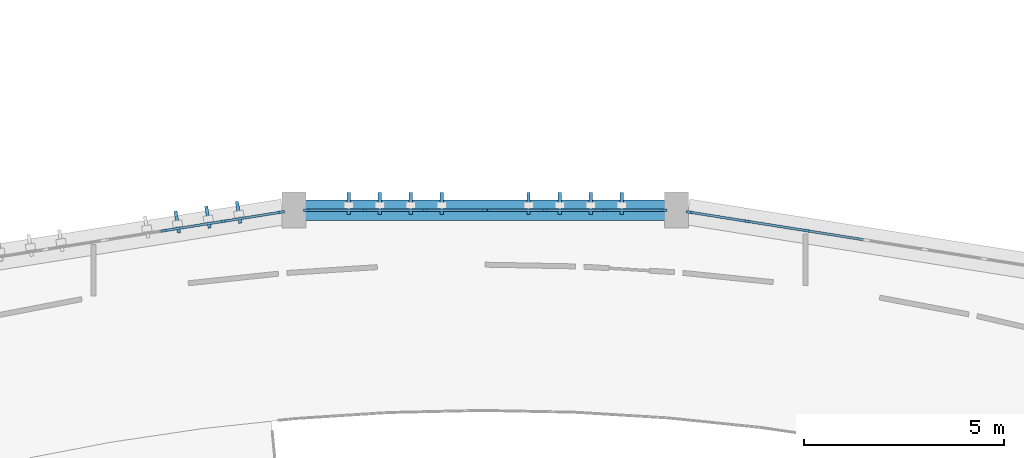
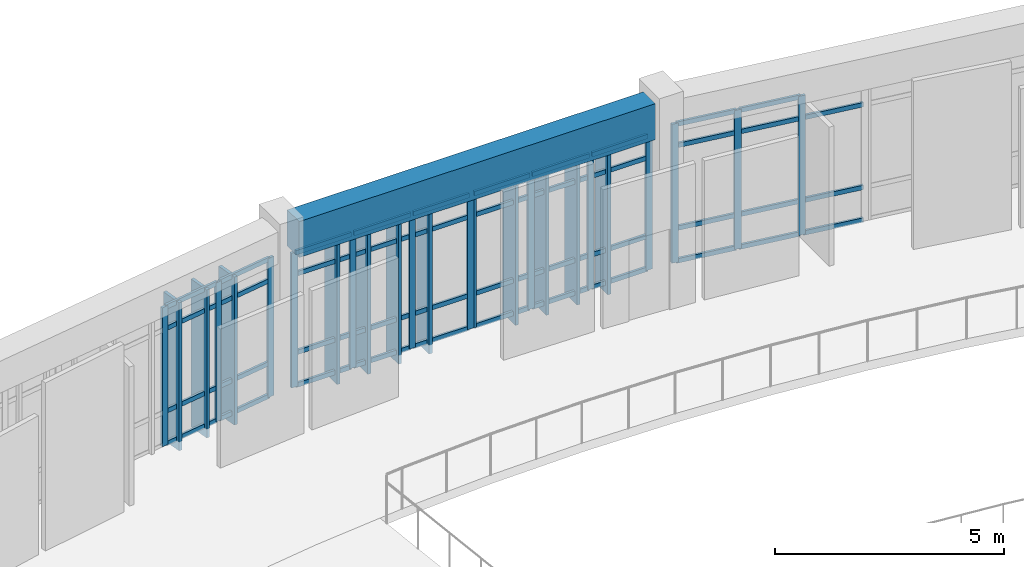
# One storey, part 20 of 65: 68 members, 1 beam, 4 elements without a shape of their own.
"""IFC4 building model written with IfcOpenShell, lengths in metres."""

from ifc_helpers import new_model, si_unit, direction, frame, origin, origin_2d, place, context, subcontext, project, spatial, rectangle, extrude, material, layer, layer_set, material_profile, profile_set, type_object, element, aggregate, save


model = new_model("IFC4")

# Units and contexts
model_context = context("Model", 3, precision=1e-05, world=origin(), true_north=direction((0.0, 1.0)))
body_context = subcontext(model_context, "Body", "Model", "MODEL_VIEW")
ifc_project = project(units=[si_unit("LENGTHUNIT", "METRE"), si_unit("AREAUNIT", "SQUARE_METRE"), si_unit("VOLUMEUNIT", "CUBIC_METRE"), si_unit("PLANEANGLEUNIT", "RADIAN"), si_unit("MASSUNIT", "GRAM", prefix="KILO")], contexts=[model_context])

# Site, building, storey
site_placement = place(None, origin())
site = spatial("IfcSite", under=ifc_project, at=site_placement, CompositionType="ELEMENT")
building_placement = place(site_placement, origin())
building = spatial("IfcBuilding", under=site, at=building_placement, Name="Miralva Faculty of Natural Sciences", CompositionType="ELEMENT")
storey_placement = place(building_placement, frame((0.0, 0.0, 10.199951171875)))
storey = spatial("IfcBuildingStorey", under=building, at=storey_placement, Name="L02", CompositionType="ELEMENT", Elevation=10.199951171875)

# Beam
ifc_material_1 = material(Name="Concrete C40/50", Category="concrete")
ifc_material_profile_1 = material_profile(ifc_material_1, rectangle(XDim=0.52001953125, YDim=0.9599609375, at=origin_2d()), Name="RC 520x960")
ifc_profile_set_1 = profile_set([ifc_material_profile_1], Name="Concrete C40/50")
beam_type = type_object("IfcBeamType", Name="BM-BG20", PredefinedType="BEAM", material=ifc_profile_set_1)
beam_placement = place(storey_placement, frame((85.510009765625, 39.81005859375, 4.080078125), z_axis=(1.0, 0.0, 0.0), x_axis=(0.0, 1.0, 0.0)))
element("IfcBeam", 1, at=beam_placement, inside=storey, type_object=beam_type, Name="Girder EW L02-39", PredefinedType="BEAM", context=body_context, shape_type="SweptSolid", body=[
    extrude(rectangle(XDim=0.52001953125, YDim=0.9599609375, at=origin_2d()), origin(), (0.0, 0.0, 1.0), 8.97998046875),
])

# Curtain wall, members
ifc_material_2 = material(Name="Laminated solar-control glass", Category="glass")
ifc_layer = layer(ifc_material_2, 0.179931640625, Name="CW-ARC-L01")
ifc_layer_set = layer_set([ifc_layer], Name="Laminated solar-control glass")
curtain_wall_type = type_object("IfcCurtainWallType", Name="CW-ARC-L01", PredefinedType="USERDEFINED", material=ifc_layer_set)
curtain_wall_1_placement = place(storey_placement, origin())
curtain_wall_1 = element("IfcCurtainWall", 2, at=curtain_wall_1_placement, inside=storey, type_object=curtain_wall_type, Name="Curtain wall CW-02 L02-84", ObjectType="UNITISED CURTAIN WALL", PredefinedType="USERDEFINED")
ifc_material_3 = material(Name="Anodised aluminium", Category="aluminium")
ifc_material_profile_2 = material_profile(ifc_material_3, rectangle(XDim=0.06494140625, YDim=0.159912109375, at=origin_2d()), Name="MULLION 65x160")
ifc_profile_set_2 = profile_set([ifc_material_profile_2], Name="Anodised aluminium")
member_type_1 = type_object("IfcMemberType", Name="CW-M02", PredefinedType="MULLION", material=ifc_profile_set_2)
member_1_placement = place(storey_placement, frame((81.965576171875, 39.29736328125, 0.0), z_axis=(0.0, 0.0, 1.0), x_axis=(-0.156414990722, 0.987691424827, 0.0)))
member_1 = element("IfcMember", 3, at=member_1_placement, type_object=member_type_1, Name="CW-02 mullion 2", PredefinedType="MULLION", context=body_context, shape_type="SweptSolid", body=[
    extrude(rectangle(XDim=0.06494140625, YDim=0.159912109375, at=origin_2d()), origin(), (0.0, 0.0, 1.0), 3.705078125),
])
member_2_placement = place(storey_placement, frame((83.448974609375, 39.532470703125, 0.0), z_axis=(0.0, 0.0, 1.0), x_axis=(-0.156414990722, 0.987691424827, 0.0)))
member_2 = element("IfcMember", 4, at=member_2_placement, type_object=member_type_1, Name="CW-02 mullion 3", PredefinedType="MULLION", context=body_context, shape_type="SweptSolid", body=[
    extrude(rectangle(XDim=0.06494140625, YDim=0.159912109375, at=origin_2d()), origin(), (0.0, 0.0, 1.0), 3.705078125),
])
member_3_placement = place(storey_placement, frame((84.900390625, 39.76220703125, 0.0), z_axis=(0.0, 0.0, 1.0), x_axis=(-0.156414990722, 0.987691424827, 0.0)))
member_3 = element("IfcMember", 5, at=member_3_placement, type_object=member_type_1, Name="CW-02 mullion 4", PredefinedType="MULLION", context=body_context, shape_type="SweptSolid", body=[
    extrude(rectangle(XDim=0.06494140625, YDim=0.159912109375, at=origin_2d()), origin(), (0.0, 0.0, 1.0), 3.705078125),
])

curtain_wall_2_placement = place(storey_placement, origin())
curtain_wall_2 = element("IfcCurtainWall", 6, at=curtain_wall_2_placement, inside=storey, type_object=curtain_wall_type, Name="Curtain wall CW-02 L02-85", ObjectType="UNITISED CURTAIN WALL", PredefinedType="USERDEFINED")
member_4_placement = place(storey_placement, frame((85.531494140625, 39.81201171875, 0.0), z_axis=(0.0, 0.0, 1.0), x_axis=(0.0, 1.0, 0.0)))
member_4 = element("IfcMember", 7, at=member_4_placement, type_object=member_type_1, Name="CW-02 mullion 1", PredefinedType="MULLION", context=body_context, shape_type="SweptSolid", body=[
    extrude(rectangle(XDim=0.06494140625, YDim=0.159912109375, at=origin_2d()), origin(), (0.0, 0.0, 1.0), 3.594970703125),
])
member_5_placement = place(storey_placement, frame((86.999267578125, 39.81201171875, 0.0), z_axis=(0.0, 0.0, 1.0), x_axis=(0.0, 1.0, 0.0)))
member_5 = element("IfcMember", 8, at=member_5_placement, type_object=member_type_1, Name="CW-02 mullion 2", PredefinedType="MULLION", context=body_context, shape_type="SweptSolid", body=[
    extrude(rectangle(XDim=0.06494140625, YDim=0.159912109375, at=origin_2d()), origin(), (0.0, 0.0, 1.0), 3.594970703125),
])
member_6_placement = place(storey_placement, frame((88.499755859375, 39.81201171875, 0.0), z_axis=(0.0, 0.0, 1.0), x_axis=(0.0, 1.0, 0.0)))
member_6 = element("IfcMember", 9, at=member_6_placement, type_object=member_type_1, Name="CW-02 mullion 3", PredefinedType="MULLION", context=body_context, shape_type="SweptSolid", body=[
    extrude(rectangle(XDim=0.06494140625, YDim=0.159912109375, at=origin_2d()), origin(), (0.0, 0.0, 1.0), 3.594970703125),
])
member_7_placement = place(storey_placement, frame((89.967529296875, 39.81201171875, 0.0), z_axis=(0.0, 0.0, 1.0), x_axis=(0.0, 1.0, 0.0)))
member_7 = element("IfcMember", 10, at=member_7_placement, type_object=member_type_1, Name="CW-02 mullion 4", PredefinedType="MULLION", context=body_context, shape_type="SweptSolid", body=[
    extrude(rectangle(XDim=0.06494140625, YDim=0.159912109375, at=origin_2d()), origin(), (0.0, 0.0, 1.0), 3.594970703125),
])

curtain_wall_3_placement = place(storey_placement, origin())
curtain_wall_3 = element("IfcCurtainWall", 11, at=curtain_wall_3_placement, inside=storey, type_object=curtain_wall_type, Name="Curtain wall CW-02 L02-86", ObjectType="UNITISED CURTAIN WALL", PredefinedType="USERDEFINED")
member_8_placement = place(storey_placement, frame((90.027587890625, 39.81201171875, 0.0), z_axis=(0.0, 0.0, 1.0), x_axis=(0.0, 1.0, 0.0)))
member_8 = element("IfcMember", 12, at=member_8_placement, type_object=member_type_1, Name="CW-02 mullion 1", PredefinedType="MULLION", context=body_context, shape_type="SweptSolid", body=[
    extrude(rectangle(XDim=0.06494140625, YDim=0.159912109375, at=origin_2d()), origin(), (0.0, 0.0, 1.0), 3.594970703125),
])
member_9_placement = place(storey_placement, frame((91.4970703125, 39.81201171875, 0.0), z_axis=(0.0, 0.0, 1.0), x_axis=(0.0, 1.0, 0.0)))
member_9 = element("IfcMember", 13, at=member_9_placement, type_object=member_type_1, Name="CW-02 mullion 2", PredefinedType="MULLION", context=body_context, shape_type="SweptSolid", body=[
    extrude(rectangle(XDim=0.06494140625, YDim=0.159912109375, at=origin_2d()), origin(), (0.0, 0.0, 1.0), 3.594970703125),
])
member_10_placement = place(storey_placement, frame((92.9990234375, 39.81201171875, 0.0), z_axis=(0.0, 0.0, 1.0), x_axis=(0.0, 1.0, 0.0)))
member_10 = element("IfcMember", 14, at=member_10_placement, type_object=member_type_1, Name="CW-02 mullion 3", PredefinedType="MULLION", context=body_context, shape_type="SweptSolid", body=[
    extrude(rectangle(XDim=0.06494140625, YDim=0.159912109375, at=origin_2d()), origin(), (0.0, 0.0, 1.0), 3.594970703125),
])
member_11_placement = place(storey_placement, frame((94.468505859375, 39.81201171875, 0.0), z_axis=(0.0, 0.0, 1.0), x_axis=(0.0, 1.0, 0.0)))
member_11 = element("IfcMember", 15, at=member_11_placement, type_object=member_type_1, Name="CW-02 mullion 4", PredefinedType="MULLION", context=body_context, shape_type="SweptSolid", body=[
    extrude(rectangle(XDim=0.06494140625, YDim=0.159912109375, at=origin_2d()), origin(), (0.0, 0.0, 1.0), 3.594970703125),
])

curtain_wall_4_placement = place(storey_placement, origin())
curtain_wall_4 = element("IfcCurtainWall", 16, at=curtain_wall_4_placement, inside=storey, type_object=curtain_wall_type, Name="Curtain wall CW-02 L02-87", ObjectType="UNITISED CURTAIN WALL", PredefinedType="USERDEFINED")
member_12_placement = place(storey_placement, frame((95.099609375, 39.76220703125, 0.0), z_axis=(0.0, 0.0, 1.0), x_axis=(0.15640978572, 0.987692249099, 0.0)))
member_12 = element("IfcMember", 17, at=member_12_placement, type_object=member_type_1, Name="CW-02 mullion 1", PredefinedType="MULLION", context=body_context, shape_type="SweptSolid", body=[
    extrude(rectangle(XDim=0.06494140625, YDim=0.159912109375, at=origin_2d()), origin(), (0.0, 0.0, 1.0), 3.705078125),
])
member_13_placement = place(storey_placement, frame((96.54931640625, 39.53271484375, 0.0), z_axis=(0.0, 0.0, 1.0), x_axis=(0.15640978572, 0.987692249099, 0.0)))
member_13 = element("IfcMember", 18, at=member_13_placement, type_object=member_type_1, Name="CW-02 mullion 2", PredefinedType="MULLION", context=body_context, shape_type="SweptSolid", body=[
    extrude(rectangle(XDim=0.06494140625, YDim=0.159912109375, at=origin_2d()), origin(), (0.0, 0.0, 1.0), 3.705078125),
])
member_14_placement = place(storey_placement, frame((98.03125, 39.2978515625, 0.0), z_axis=(0.0, 0.0, 1.0), x_axis=(0.15640978572, 0.987692249099, 0.0)))
member_14 = element("IfcMember", 19, at=member_14_placement, type_object=member_type_1, Name="CW-02 mullion 3", PredefinedType="MULLION", context=body_context, shape_type="SweptSolid", body=[
    extrude(rectangle(XDim=0.06494140625, YDim=0.159912109375, at=origin_2d()), origin(), (0.0, 0.0, 1.0), 3.705078125),
])

# Member
ifc_material_profile_3 = material_profile(ifc_material_3, rectangle(XDim=0.06005859375, YDim=0.1201171875, at=origin_2d()), Name="TRANSOM 60x120")
ifc_profile_set_3 = profile_set([ifc_material_profile_3], Name="Anodised aluminium")
member_type_2 = type_object("IfcMemberType", Name="CW-T02", PredefinedType="USERDEFINED", material=ifc_profile_set_3)
member_15_placement = place(storey_placement, frame((81.99755859375, 39.302490234375, 0.030029296875), z_axis=(0.987684327904, 0.156459798074, 0.0), x_axis=(-0.156459798074, 0.987684327904, 0.0)))
member_15 = element("IfcMember", 20, at=member_15_placement, type_object=member_type_2, Name="CW-02 transom 2.1", ObjectType="TRANSOM", PredefinedType="USERDEFINED", context=body_context, shape_type="SweptSolid", body=[
    extrude(rectangle(XDim=0.06005859375, YDim=0.1201171875, at=origin_2d()), origin(), (0.0, 0.0, 1.0), 1.43701171875),
])

member_16_placement = place(storey_placement, frame((81.99755859375, 39.302490234375, 0.900146484375), z_axis=(0.987684327904, 0.156459798074, 0.0), x_axis=(-0.156459798074, 0.987684327904, 0.0)))
member_16 = element("IfcMember", 21, at=member_16_placement, type_object=member_type_2, Name="CW-02 transom 2.2", ObjectType="TRANSOM", PredefinedType="USERDEFINED", context=body_context, shape_type="SweptSolid", body=[
    extrude(rectangle(XDim=0.06005859375, YDim=0.1201171875, at=origin_2d()), origin(), (0.0, 0.0, 1.0), 1.43701171875),
])

member_17_placement = place(storey_placement, frame((81.99755859375, 39.302490234375, 3.10498046875), z_axis=(0.987684327904, 0.156459798074, 0.0), x_axis=(-0.156459798074, 0.987684327904, 0.0)))
member_17 = element("IfcMember", 22, at=member_17_placement, type_object=member_type_2, Name="CW-02 transom 2.3", ObjectType="TRANSOM", PredefinedType="USERDEFINED", context=body_context, shape_type="SweptSolid", body=[
    extrude(rectangle(XDim=0.06005859375, YDim=0.1201171875, at=origin_2d()), origin(), (0.0, 0.0, 1.0), 1.43701171875),
])

member_18_placement = place(storey_placement, frame((81.99755859375, 39.302490234375, 3.675048828125), z_axis=(0.987684327904, 0.156459798074, 0.0), x_axis=(-0.156459798074, 0.987684327904, 0.0)))
member_18 = element("IfcMember", 23, at=member_18_placement, type_object=member_type_2, Name="CW-02 transom 2.4", ObjectType="TRANSOM", PredefinedType="USERDEFINED", context=body_context, shape_type="SweptSolid", body=[
    extrude(rectangle(XDim=0.06005859375, YDim=0.1201171875, at=origin_2d()), origin(), (0.0, 0.0, 1.0), 1.43701171875),
])

member_19_placement = place(storey_placement, frame((83.481201171875, 39.537353515625, 0.030029296875), z_axis=(0.987686739548, 0.156444573318, 0.0), x_axis=(-0.156444573318, 0.987686739548, 0.0)))
member_19 = element("IfcMember", 24, at=member_19_placement, type_object=member_type_2, Name="CW-02 transom 3.1", ObjectType="TRANSOM", PredefinedType="USERDEFINED", context=body_context, shape_type="SweptSolid", body=[
    extrude(rectangle(XDim=0.06005859375, YDim=0.1201171875, at=origin_2d()), origin(), (0.0, 0.0, 1.0), 1.404541015625),
])

member_20_placement = place(storey_placement, frame((83.481201171875, 39.537353515625, 0.900146484375), z_axis=(0.987686739548, 0.156444573318, 0.0), x_axis=(-0.156444573318, 0.987686739548, 0.0)))
member_20 = element("IfcMember", 25, at=member_20_placement, type_object=member_type_2, Name="CW-02 transom 3.2", ObjectType="TRANSOM", PredefinedType="USERDEFINED", context=body_context, shape_type="SweptSolid", body=[
    extrude(rectangle(XDim=0.06005859375, YDim=0.1201171875, at=origin_2d()), origin(), (0.0, 0.0, 1.0), 1.404541015625),
])

member_21_placement = place(storey_placement, frame((83.481201171875, 39.537353515625, 3.10498046875), z_axis=(0.987686739548, 0.156444573318, 0.0), x_axis=(-0.156444573318, 0.987686739548, 0.0)))
member_21 = element("IfcMember", 26, at=member_21_placement, type_object=member_type_2, Name="CW-02 transom 3.3", ObjectType="TRANSOM", PredefinedType="USERDEFINED", context=body_context, shape_type="SweptSolid", body=[
    extrude(rectangle(XDim=0.06005859375, YDim=0.1201171875, at=origin_2d()), origin(), (0.0, 0.0, 1.0), 1.404541015625),
])

member_22_placement = place(storey_placement, frame((83.481201171875, 39.537353515625, 3.675048828125), z_axis=(0.987686739548, 0.156444573318, 0.0), x_axis=(-0.156444573318, 0.987686739548, 0.0)))
member_22 = element("IfcMember", 27, at=member_22_placement, type_object=member_type_2, Name="CW-02 transom 3.4", ObjectType="TRANSOM", PredefinedType="USERDEFINED", context=body_context, shape_type="SweptSolid", body=[
    extrude(rectangle(XDim=0.06005859375, YDim=0.1201171875, at=origin_2d()), origin(), (0.0, 0.0, 1.0), 1.404541015625),
])

aggregate(curtain_wall_1, [member_1, member_2, member_3, member_15, member_16, member_17, member_18, member_19, member_20, member_21, member_22])

member_23_placement = place(storey_placement, frame((85.56396484375, 39.81201171875, 0.030029296875), z_axis=(1.0, 0.0, 0.0), x_axis=(0.0, 1.0, 0.0)))
member_23 = element("IfcMember", 28, at=member_23_placement, type_object=member_type_2, Name="CW-02 transom 1.1", ObjectType="TRANSOM", PredefinedType="USERDEFINED", context=body_context, shape_type="SweptSolid", body=[
    extrude(rectangle(XDim=0.06005859375, YDim=0.1201171875, at=origin_2d()), origin(), (0.0, 0.0, 1.0), 1.40283203125),
])

member_24_placement = place(storey_placement, frame((85.56396484375, 39.81201171875, 0.900146484375), z_axis=(1.0, 0.0, 0.0), x_axis=(0.0, 1.0, 0.0)))
member_24 = element("IfcMember", 29, at=member_24_placement, type_object=member_type_2, Name="CW-02 transom 1.2", ObjectType="TRANSOM", PredefinedType="USERDEFINED", context=body_context, shape_type="SweptSolid", body=[
    extrude(rectangle(XDim=0.06005859375, YDim=0.1201171875, at=origin_2d()), origin(), (0.0, 0.0, 1.0), 1.40283203125),
])

member_25_placement = place(storey_placement, frame((85.56396484375, 39.81201171875, 2.9951171875), z_axis=(1.0, 0.0, 0.0), x_axis=(0.0, 1.0, 0.0)))
member_25 = element("IfcMember", 30, at=member_25_placement, type_object=member_type_2, Name="CW-02 transom 1.3", ObjectType="TRANSOM", PredefinedType="USERDEFINED", context=body_context, shape_type="SweptSolid", body=[
    extrude(rectangle(XDim=0.06005859375, YDim=0.1201171875, at=origin_2d()), origin(), (0.0, 0.0, 1.0), 1.40283203125),
])

member_26_placement = place(storey_placement, frame((85.56396484375, 39.81201171875, 3.56494140625), z_axis=(1.0, 0.0, 0.0), x_axis=(0.0, 1.0, 0.0)))
member_26 = element("IfcMember", 31, at=member_26_placement, type_object=member_type_2, Name="CW-02 transom 1.4", ObjectType="TRANSOM", PredefinedType="USERDEFINED", context=body_context, shape_type="SweptSolid", body=[
    extrude(rectangle(XDim=0.06005859375, YDim=0.1201171875, at=origin_2d()), origin(), (0.0, 0.0, 1.0), 1.40283203125),
])

member_27_placement = place(storey_placement, frame((87.03173828125, 39.81201171875, 0.030029296875), z_axis=(1.0, 0.0, 0.0), x_axis=(0.0, 1.0, 0.0)))
member_27 = element("IfcMember", 32, at=member_27_placement, type_object=member_type_2, Name="CW-02 transom 2.1", ObjectType="TRANSOM", PredefinedType="USERDEFINED", context=body_context, shape_type="SweptSolid", body=[
    extrude(rectangle(XDim=0.06005859375, YDim=0.1201171875, at=origin_2d()), origin(), (0.0, 0.0, 1.0), 1.435546875),
])

member_28_placement = place(storey_placement, frame((87.03173828125, 39.81201171875, 0.900146484375), z_axis=(1.0, 0.0, 0.0), x_axis=(0.0, 1.0, 0.0)))
member_28 = element("IfcMember", 33, at=member_28_placement, type_object=member_type_2, Name="CW-02 transom 2.2", ObjectType="TRANSOM", PredefinedType="USERDEFINED", context=body_context, shape_type="SweptSolid", body=[
    extrude(rectangle(XDim=0.06005859375, YDim=0.1201171875, at=origin_2d()), origin(), (0.0, 0.0, 1.0), 1.435546875),
])

member_29_placement = place(storey_placement, frame((87.03173828125, 39.81201171875, 2.9951171875), z_axis=(1.0, 0.0, 0.0), x_axis=(0.0, 1.0, 0.0)))
member_29 = element("IfcMember", 34, at=member_29_placement, type_object=member_type_2, Name="CW-02 transom 2.3", ObjectType="TRANSOM", PredefinedType="USERDEFINED", context=body_context, shape_type="SweptSolid", body=[
    extrude(rectangle(XDim=0.06005859375, YDim=0.1201171875, at=origin_2d()), origin(), (0.0, 0.0, 1.0), 1.435546875),
])

member_30_placement = place(storey_placement, frame((87.03173828125, 39.81201171875, 3.56494140625), z_axis=(1.0, 0.0, 0.0), x_axis=(0.0, 1.0, 0.0)))
member_30 = element("IfcMember", 35, at=member_30_placement, type_object=member_type_2, Name="CW-02 transom 2.4", ObjectType="TRANSOM", PredefinedType="USERDEFINED", context=body_context, shape_type="SweptSolid", body=[
    extrude(rectangle(XDim=0.06005859375, YDim=0.1201171875, at=origin_2d()), origin(), (0.0, 0.0, 1.0), 1.435546875),
])

member_31_placement = place(storey_placement, frame((88.5322265625, 39.81201171875, 0.030029296875), z_axis=(1.0, 0.0, 0.0), x_axis=(0.0, 1.0, 0.0)))
member_31 = element("IfcMember", 36, at=member_31_placement, type_object=member_type_2, Name="CW-02 transom 3.1", ObjectType="TRANSOM", PredefinedType="USERDEFINED", context=body_context, shape_type="SweptSolid", body=[
    extrude(rectangle(XDim=0.06005859375, YDim=0.1201171875, at=origin_2d()), origin(), (0.0, 0.0, 1.0), 1.40283203125),
])

member_32_placement = place(storey_placement, frame((88.5322265625, 39.81201171875, 0.900146484375), z_axis=(1.0, 0.0, 0.0), x_axis=(0.0, 1.0, 0.0)))
member_32 = element("IfcMember", 37, at=member_32_placement, type_object=member_type_2, Name="CW-02 transom 3.2", ObjectType="TRANSOM", PredefinedType="USERDEFINED", context=body_context, shape_type="SweptSolid", body=[
    extrude(rectangle(XDim=0.06005859375, YDim=0.1201171875, at=origin_2d()), origin(), (0.0, 0.0, 1.0), 1.40283203125),
])

member_33_placement = place(storey_placement, frame((88.5322265625, 39.81201171875, 2.9951171875), z_axis=(1.0, 0.0, 0.0), x_axis=(0.0, 1.0, 0.0)))
member_33 = element("IfcMember", 38, at=member_33_placement, type_object=member_type_2, Name="CW-02 transom 3.3", ObjectType="TRANSOM", PredefinedType="USERDEFINED", context=body_context, shape_type="SweptSolid", body=[
    extrude(rectangle(XDim=0.06005859375, YDim=0.1201171875, at=origin_2d()), origin(), (0.0, 0.0, 1.0), 1.40283203125),
])

member_34_placement = place(storey_placement, frame((88.5322265625, 39.81201171875, 3.56494140625), z_axis=(1.0, 0.0, 0.0), x_axis=(0.0, 1.0, 0.0)))
member_34 = element("IfcMember", 39, at=member_34_placement, type_object=member_type_2, Name="CW-02 transom 3.4", ObjectType="TRANSOM", PredefinedType="USERDEFINED", context=body_context, shape_type="SweptSolid", body=[
    extrude(rectangle(XDim=0.06005859375, YDim=0.1201171875, at=origin_2d()), origin(), (0.0, 0.0, 1.0), 1.40283203125),
])

aggregate(curtain_wall_2, [member_4, member_5, member_6, member_7, member_23, member_24, member_25, member_26, member_27, member_28, member_29, member_30, member_31, member_32, member_33, member_34])

member_35_placement = place(storey_placement, frame((90.06005859375, 39.81201171875, 0.030029296875), z_axis=(1.0, 0.0, 0.0), x_axis=(0.0, 1.0, 0.0)))
member_35 = element("IfcMember", 40, at=member_35_placement, type_object=member_type_2, Name="CW-02 transom 1.1", ObjectType="TRANSOM", PredefinedType="USERDEFINED", context=body_context, shape_type="SweptSolid", body=[
    extrude(rectangle(XDim=0.06005859375, YDim=0.1201171875, at=origin_2d()), origin(), (0.0, 0.0, 1.0), 1.404541015625),
])

member_36_placement = place(storey_placement, frame((90.06005859375, 39.81201171875, 0.900146484375), z_axis=(1.0, 0.0, 0.0), x_axis=(0.0, 1.0, 0.0)))
member_36 = element("IfcMember", 41, at=member_36_placement, type_object=member_type_2, Name="CW-02 transom 1.2", ObjectType="TRANSOM", PredefinedType="USERDEFINED", context=body_context, shape_type="SweptSolid", body=[
    extrude(rectangle(XDim=0.06005859375, YDim=0.1201171875, at=origin_2d()), origin(), (0.0, 0.0, 1.0), 1.404541015625),
])

member_37_placement = place(storey_placement, frame((90.06005859375, 39.81201171875, 2.9951171875), z_axis=(1.0, 0.0, 0.0), x_axis=(0.0, 1.0, 0.0)))
member_37 = element("IfcMember", 42, at=member_37_placement, type_object=member_type_2, Name="CW-02 transom 1.3", ObjectType="TRANSOM", PredefinedType="USERDEFINED", context=body_context, shape_type="SweptSolid", body=[
    extrude(rectangle(XDim=0.06005859375, YDim=0.1201171875, at=origin_2d()), origin(), (0.0, 0.0, 1.0), 1.404541015625),
])

member_38_placement = place(storey_placement, frame((90.06005859375, 39.81201171875, 3.56494140625), z_axis=(1.0, 0.0, 0.0), x_axis=(0.0, 1.0, 0.0)))
member_38 = element("IfcMember", 43, at=member_38_placement, type_object=member_type_2, Name="CW-02 transom 1.4", ObjectType="TRANSOM", PredefinedType="USERDEFINED", context=body_context, shape_type="SweptSolid", body=[
    extrude(rectangle(XDim=0.06005859375, YDim=0.1201171875, at=origin_2d()), origin(), (0.0, 0.0, 1.0), 1.404541015625),
])

member_39_placement = place(storey_placement, frame((91.529541015625, 39.81201171875, 0.030029296875), z_axis=(1.0, 0.0, 0.0), x_axis=(0.0, 1.0, 0.0)))
member_39 = element("IfcMember", 44, at=member_39_placement, type_object=member_type_2, Name="CW-02 transom 2.1", ObjectType="TRANSOM", PredefinedType="USERDEFINED", context=body_context, shape_type="SweptSolid", body=[
    extrude(rectangle(XDim=0.06005859375, YDim=0.1201171875, at=origin_2d()), origin(), (0.0, 0.0, 1.0), 1.43701171875),
])

member_40_placement = place(storey_placement, frame((91.529541015625, 39.81201171875, 0.900146484375), z_axis=(1.0, 0.0, 0.0), x_axis=(0.0, 1.0, 0.0)))
member_40 = element("IfcMember", 45, at=member_40_placement, type_object=member_type_2, Name="CW-02 transom 2.2", ObjectType="TRANSOM", PredefinedType="USERDEFINED", context=body_context, shape_type="SweptSolid", body=[
    extrude(rectangle(XDim=0.06005859375, YDim=0.1201171875, at=origin_2d()), origin(), (0.0, 0.0, 1.0), 1.43701171875),
])

member_41_placement = place(storey_placement, frame((91.529541015625, 39.81201171875, 2.9951171875), z_axis=(1.0, 0.0, 0.0), x_axis=(0.0, 1.0, 0.0)))
member_41 = element("IfcMember", 46, at=member_41_placement, type_object=member_type_2, Name="CW-02 transom 2.3", ObjectType="TRANSOM", PredefinedType="USERDEFINED", context=body_context, shape_type="SweptSolid", body=[
    extrude(rectangle(XDim=0.06005859375, YDim=0.1201171875, at=origin_2d()), origin(), (0.0, 0.0, 1.0), 1.43701171875),
])

member_42_placement = place(storey_placement, frame((91.529541015625, 39.81201171875, 3.56494140625), z_axis=(1.0, 0.0, 0.0), x_axis=(0.0, 1.0, 0.0)))
member_42 = element("IfcMember", 47, at=member_42_placement, type_object=member_type_2, Name="CW-02 transom 2.4", ObjectType="TRANSOM", PredefinedType="USERDEFINED", context=body_context, shape_type="SweptSolid", body=[
    extrude(rectangle(XDim=0.06005859375, YDim=0.1201171875, at=origin_2d()), origin(), (0.0, 0.0, 1.0), 1.43701171875),
])

member_43_placement = place(storey_placement, frame((93.031494140625, 39.81201171875, 0.030029296875), z_axis=(1.0, 0.0, 0.0), x_axis=(0.0, 1.0, 0.0)))
member_43 = element("IfcMember", 48, at=member_43_placement, type_object=member_type_2, Name="CW-02 transom 3.1", ObjectType="TRANSOM", PredefinedType="USERDEFINED", context=body_context, shape_type="SweptSolid", body=[
    extrude(rectangle(XDim=0.06005859375, YDim=0.1201171875, at=origin_2d()), origin(), (0.0, 0.0, 1.0), 1.404541015625),
])

member_44_placement = place(storey_placement, frame((93.031494140625, 39.81201171875, 0.900146484375), z_axis=(1.0, 0.0, 0.0), x_axis=(0.0, 1.0, 0.0)))
member_44 = element("IfcMember", 49, at=member_44_placement, type_object=member_type_2, Name="CW-02 transom 3.2", ObjectType="TRANSOM", PredefinedType="USERDEFINED", context=body_context, shape_type="SweptSolid", body=[
    extrude(rectangle(XDim=0.06005859375, YDim=0.1201171875, at=origin_2d()), origin(), (0.0, 0.0, 1.0), 1.404541015625),
])

member_45_placement = place(storey_placement, frame((93.031494140625, 39.81201171875, 2.9951171875), z_axis=(1.0, 0.0, 0.0), x_axis=(0.0, 1.0, 0.0)))
member_45 = element("IfcMember", 50, at=member_45_placement, type_object=member_type_2, Name="CW-02 transom 3.3", ObjectType="TRANSOM", PredefinedType="USERDEFINED", context=body_context, shape_type="SweptSolid", body=[
    extrude(rectangle(XDim=0.06005859375, YDim=0.1201171875, at=origin_2d()), origin(), (0.0, 0.0, 1.0), 1.404541015625),
])

member_46_placement = place(storey_placement, frame((93.031494140625, 39.81201171875, 3.56494140625), z_axis=(1.0, 0.0, 0.0), x_axis=(0.0, 1.0, 0.0)))
member_46 = element("IfcMember", 51, at=member_46_placement, type_object=member_type_2, Name="CW-02 transom 3.4", ObjectType="TRANSOM", PredefinedType="USERDEFINED", context=body_context, shape_type="SweptSolid", body=[
    extrude(rectangle(XDim=0.06005859375, YDim=0.1201171875, at=origin_2d()), origin(), (0.0, 0.0, 1.0), 1.404541015625),
])

aggregate(curtain_wall_3, [member_8, member_9, member_10, member_11, member_35, member_36, member_37, member_38, member_39, member_40, member_41, member_42, member_43, member_44, member_45, member_46])

member_47_placement = place(storey_placement, frame((95.131591796875, 39.757080078125, 0.030029296875), z_axis=(0.987688073971, -0.156436148432, 0.0), x_axis=(0.156436148432, 0.987688073971, 0.0)))
member_47 = element("IfcMember", 52, at=member_47_placement, type_object=member_type_2, Name="CW-02 transom 1.1", ObjectType="TRANSOM", PredefinedType="USERDEFINED", context=body_context, shape_type="SweptSolid", body=[
    extrude(rectangle(XDim=0.06005859375, YDim=0.1201171875, at=origin_2d()), origin(), (0.0, 0.0, 1.0), 1.403076171875),
])

member_48_placement = place(storey_placement, frame((95.131591796875, 39.757080078125, 0.900146484375), z_axis=(0.987688073971, -0.156436148432, 0.0), x_axis=(0.156436148432, 0.987688073971, 0.0)))
member_48 = element("IfcMember", 53, at=member_48_placement, type_object=member_type_2, Name="CW-02 transom 1.2", ObjectType="TRANSOM", PredefinedType="USERDEFINED", context=body_context, shape_type="SweptSolid", body=[
    extrude(rectangle(XDim=0.06005859375, YDim=0.1201171875, at=origin_2d()), origin(), (0.0, 0.0, 1.0), 1.403076171875),
])

member_49_placement = place(storey_placement, frame((95.131591796875, 39.757080078125, 3.10498046875), z_axis=(0.987688073971, -0.156436148432, 0.0), x_axis=(0.156436148432, 0.987688073971, 0.0)))
member_49 = element("IfcMember", 54, at=member_49_placement, type_object=member_type_2, Name="CW-02 transom 1.3", ObjectType="TRANSOM", PredefinedType="USERDEFINED", context=body_context, shape_type="SweptSolid", body=[
    extrude(rectangle(XDim=0.06005859375, YDim=0.1201171875, at=origin_2d()), origin(), (0.0, 0.0, 1.0), 1.403076171875),
])

member_50_placement = place(storey_placement, frame((95.131591796875, 39.757080078125, 3.675048828125), z_axis=(0.987688073971, -0.156436148432, 0.0), x_axis=(0.156436148432, 0.987688073971, 0.0)))
member_50 = element("IfcMember", 55, at=member_50_placement, type_object=member_type_2, Name="CW-02 transom 1.4", ObjectType="TRANSOM", PredefinedType="USERDEFINED", context=body_context, shape_type="SweptSolid", body=[
    extrude(rectangle(XDim=0.06005859375, YDim=0.1201171875, at=origin_2d()), origin(), (0.0, 0.0, 1.0), 1.403076171875),
])

member_51_placement = place(storey_placement, frame((96.58154296875, 39.527587890625, 0.030029296875), z_axis=(0.987677300474, -0.156504153709, 0.0), x_axis=(0.156504153709, 0.987677300474, 0.0)))
member_51 = element("IfcMember", 56, at=member_51_placement, type_object=member_type_2, Name="CW-02 transom 2.1", ObjectType="TRANSOM", PredefinedType="USERDEFINED", context=body_context, shape_type="SweptSolid", body=[
    extrude(rectangle(XDim=0.06005859375, YDim=0.1201171875, at=origin_2d()), origin(), (0.0, 0.0, 1.0), 1.43505859375),
])

member_52_placement = place(storey_placement, frame((96.58154296875, 39.527587890625, 0.900146484375), z_axis=(0.987677300474, -0.156504153709, 0.0), x_axis=(0.156504153709, 0.987677300474, 0.0)))
member_52 = element("IfcMember", 57, at=member_52_placement, type_object=member_type_2, Name="CW-02 transom 2.2", ObjectType="TRANSOM", PredefinedType="USERDEFINED", context=body_context, shape_type="SweptSolid", body=[
    extrude(rectangle(XDim=0.06005859375, YDim=0.1201171875, at=origin_2d()), origin(), (0.0, 0.0, 1.0), 1.43505859375),
])

member_53_placement = place(storey_placement, frame((96.58154296875, 39.527587890625, 3.10498046875), z_axis=(0.987677300474, -0.156504153709, 0.0), x_axis=(0.156504153709, 0.987677300474, 0.0)))
member_53 = element("IfcMember", 58, at=member_53_placement, type_object=member_type_2, Name="CW-02 transom 2.3", ObjectType="TRANSOM", PredefinedType="USERDEFINED", context=body_context, shape_type="SweptSolid", body=[
    extrude(rectangle(XDim=0.06005859375, YDim=0.1201171875, at=origin_2d()), origin(), (0.0, 0.0, 1.0), 1.43505859375),
])

member_54_placement = place(storey_placement, frame((96.58154296875, 39.527587890625, 3.675048828125), z_axis=(0.987677300474, -0.156504153709, 0.0), x_axis=(0.156504153709, 0.987677300474, 0.0)))
member_54 = element("IfcMember", 59, at=member_54_placement, type_object=member_type_2, Name="CW-02 transom 2.4", ObjectType="TRANSOM", PredefinedType="USERDEFINED", context=body_context, shape_type="SweptSolid", body=[
    extrude(rectangle(XDim=0.06005859375, YDim=0.1201171875, at=origin_2d()), origin(), (0.0, 0.0, 1.0), 1.43505859375),
])

member_55_placement = place(storey_placement, frame((98.063232421875, 39.29296875, 0.030029296875), z_axis=(0.987688073971, -0.156436148432, 0.0), x_axis=(0.156436148432, 0.987688073971, 0.0)))
member_55 = element("IfcMember", 60, at=member_55_placement, type_object=member_type_2, Name="CW-02 transom 3.1", ObjectType="TRANSOM", PredefinedType="USERDEFINED", context=body_context, shape_type="SweptSolid", body=[
    extrude(rectangle(XDim=0.06005859375, YDim=0.1201171875, at=origin_2d()), origin(), (0.0, 0.0, 1.0), 1.403076171875),
])

member_56_placement = place(storey_placement, frame((98.063232421875, 39.29296875, 0.900146484375), z_axis=(0.987688073971, -0.156436148432, 0.0), x_axis=(0.156436148432, 0.987688073971, 0.0)))
member_56 = element("IfcMember", 61, at=member_56_placement, type_object=member_type_2, Name="CW-02 transom 3.2", ObjectType="TRANSOM", PredefinedType="USERDEFINED", context=body_context, shape_type="SweptSolid", body=[
    extrude(rectangle(XDim=0.06005859375, YDim=0.1201171875, at=origin_2d()), origin(), (0.0, 0.0, 1.0), 1.403076171875),
])

member_57_placement = place(storey_placement, frame((98.063232421875, 39.29296875, 3.10498046875), z_axis=(0.987688073971, -0.156436148432, 0.0), x_axis=(0.156436148432, 0.987688073971, 0.0)))
member_57 = element("IfcMember", 62, at=member_57_placement, type_object=member_type_2, Name="CW-02 transom 3.3", ObjectType="TRANSOM", PredefinedType="USERDEFINED", context=body_context, shape_type="SweptSolid", body=[
    extrude(rectangle(XDim=0.06005859375, YDim=0.1201171875, at=origin_2d()), origin(), (0.0, 0.0, 1.0), 1.403076171875),
])

aggregate(curtain_wall_4, [member_12, member_13, member_14, member_47, member_48, member_49, member_50, member_51, member_52, member_53, member_54, member_55, member_56, member_57])

# Members
ifc_material_profile_4 = material_profile(ifc_material_3, rectangle(XDim=0.080078125, YDim=0.550048828125, at=origin_2d()), Name="FIN 550x80")
ifc_profile_set_4 = profile_set([ifc_material_profile_4], Name="Anodised aluminium")
member_type_3 = type_object("IfcMemberType", Name="MEM-SF01", PredefinedType="USERDEFINED", material=ifc_profile_set_4)
for number, where, z_axis, x_axis, name in (
    (63, (82.298828125, 39.51220703125, -0.239990234375), (0.0, 0.0, 1.0), (-0.987688340595, -0.15643446504, 0.0), "Solar shading fin SF-01 L02-58"),
    (64, (83.065673828125, 39.6337890625, -0.239990234375), (0.0, 0.0, 1.0), (-0.987688340595, -0.15643446504, 0.0), "Solar shading fin SF-01 L02-59"),
    (65, (83.83251953125, 39.755126953125, -0.239990234375), (0.0, 0.0, 1.0), (-0.987688340595, -0.15643446504, 0.0), "Solar shading fin SF-01 L02-60"),
):
    element("IfcMember", number, at=place(storey_placement, frame(where, z_axis=z_axis, x_axis=x_axis)), inside=storey, type_object=member_type_3, Name=name, ObjectType="SUNSHADE", PredefinedType="USERDEFINED", context=body_context, shape_type="SweptSolid", body=[
        extrude(rectangle(XDim=0.080078125, YDim=0.550048828125, at=origin_2d()), origin(), (0.0, 0.0, 1.0), 3.945068359375),
    ])
for number, where, z_axis, x_axis, name in (
    (66, (86.586669921875, 39.971923828125, -0.239990234375), (0.0, 0.0, 1.0), (-1.0, 0.0, 0.0), "Solar shading fin SF-01 L02-61"),
    (67, (87.36181640625, 39.971923828125, -0.239990234375), (0.0, 0.0, 1.0), (-1.0, 0.0, 0.0), "Solar shading fin SF-01 L02-62"),
    (68, (88.13720703125, 39.971923828125, -0.239990234375), (0.0, 0.0, 1.0), (-1.0, 0.0, 0.0), "Solar shading fin SF-01 L02-63"),
    (69, (88.912353515625, 39.971923828125, -0.239990234375), (0.0, 0.0, 1.0), (-1.0, 0.0, 0.0), "Solar shading fin SF-01 L02-64"),
    (70, (91.083251953125, 39.971923828125, -0.239990234375), (0.0, 0.0, 1.0), (-1.0, 0.0, 0.0), "Solar shading fin SF-01 L02-65"),
    (71, (91.85986328125, 39.971923828125, -0.239990234375), (0.0, 0.0, 1.0), (-1.0, 0.0, 0.0), "Solar shading fin SF-01 L02-66"),
    (72, (92.63623046875, 39.971923828125, -0.239990234375), (0.0, 0.0, 1.0), (-1.0, 0.0, 0.0), "Solar shading fin SF-01 L02-67"),
    (73, (93.412841796875, 39.971923828125, -0.239990234375), (0.0, 0.0, 1.0), (-1.0, 0.0, 0.0), "Solar shading fin SF-01 L02-68"),
):
    element("IfcMember", number, at=place(storey_placement, frame(where, z_axis=z_axis, x_axis=x_axis)), inside=storey, type_object=member_type_3, Name=name, ObjectType="SUNSHADE", PredefinedType="USERDEFINED", context=body_context, shape_type="SweptSolid", body=[
        extrude(rectangle(XDim=0.080078125, YDim=0.550048828125, at=origin_2d()), origin(), (0.0, 0.0, 1.0), 3.8349609375),
    ])

save(model, "model.ifc")
